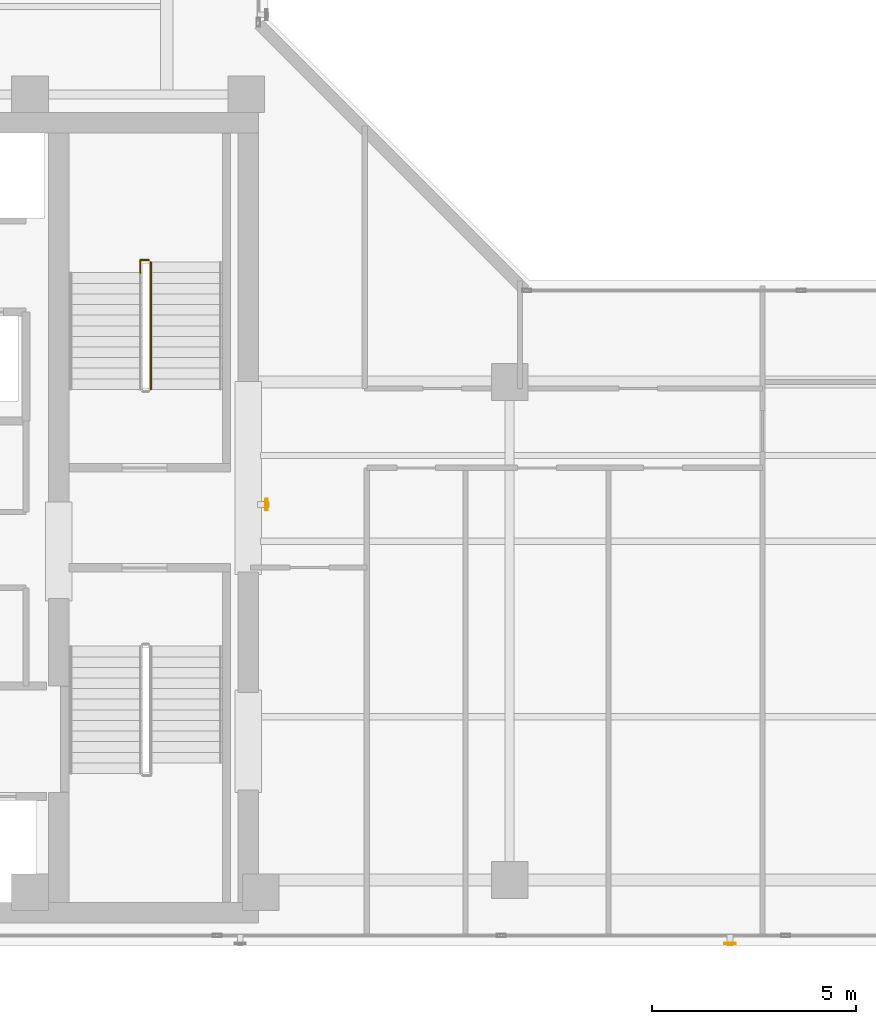
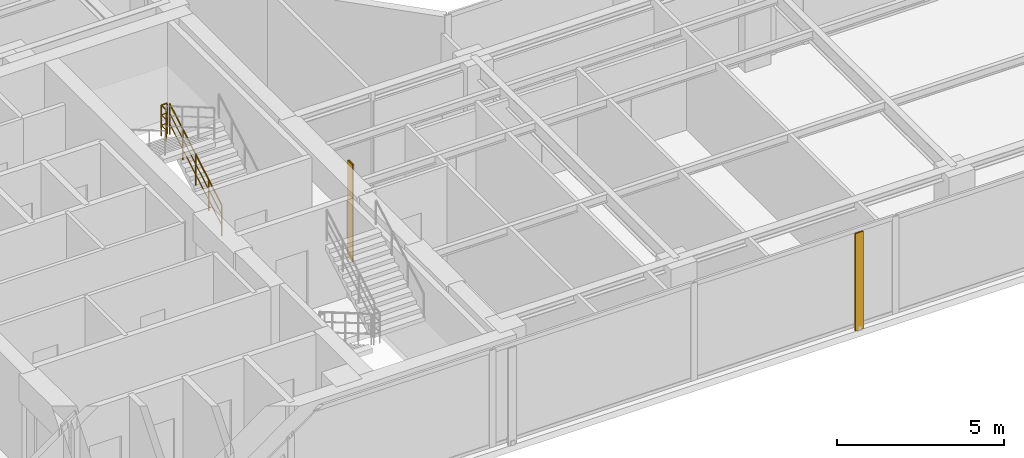
# One storey, part 20 of 23: 2 railings, 2 shading devices.
"""IFC4 building model written with IfcOpenShell, lengths in metres."""

from ifc_helpers import new_model, si_unit, direction, frame, origin, origin_2d, place, context, subcontext, project, spatial, hollow_rectangle, circle, extrude, material, material_profile, profile_set, type_object, element, save


model = new_model("IFC4")

# Units and contexts
model_context = context("Model", 3, precision=1e-05, world=origin(), true_north=direction((0.0, 1.0)))
body_context = subcontext(model_context, "Body", "Model", "MODEL_VIEW")
ifc_project = project(units=[si_unit("LENGTHUNIT", "METRE"), si_unit("AREAUNIT", "SQUARE_METRE"), si_unit("VOLUMEUNIT", "CUBIC_METRE"), si_unit("PLANEANGLEUNIT", "RADIAN"), si_unit("MASSUNIT", "GRAM", prefix="KILO")], contexts=[model_context])

# Site, building, storey
site_placement = place(None, origin())
site = spatial("IfcSite", under=ifc_project, at=site_placement, CompositionType="ELEMENT")
building_placement = place(site_placement, origin())
building = spatial("IfcBuilding", under=site, at=building_placement, Name="Kolvaren Waterfront Exchange", CompositionType="ELEMENT")
storey_placement = place(building_placement, frame((0.0, 0.0, 304.60009765625)))
storey = spatial("IfcBuildingStorey", under=building, at=storey_placement, Name="L78", CompositionType="ELEMENT", Elevation=304.60009765625)

# Shading devices
ifc_material_1 = material(Name="Anodised bronze aluminium 6063-T6", Category="aluminium")
ifc_material_profile = material_profile(ifc_material_1, hollow_rectangle(XDim=0.054931640625, YDim=0.280029296875, WallThickness=0.00439453125, at=origin_2d()), Name="BRZ-FIN-280x55x4.5")
ifc_profile_set = profile_set([ifc_material_profile], Name="Anodised bronze aluminium 6063-T6")
shading_device_type = type_object("IfcShadingDeviceType", Name="ARC-FIN-280", PredefinedType="USERDEFINED", material=ifc_profile_set)
for number, where, z_axis, x_axis, name in (
    (1, (32.60009765625, 3.639892578125, 0.0), (0.0, 0.0, 1.0), (0.0, -1.0, 0.0), "L78 anodised bronze solar shading fin FIN-L78-S3"),
    (2, (21.244140625, 14.39990234375, 0.0), (0.0, 0.0, 1.0), (1.0, 0.0, 0.0), "L78 anodised bronze solar shading fin FIN-L78-E1"),
):
    element("IfcShadingDevice", number, at=place(storey_placement, frame(where, z_axis=z_axis, x_axis=x_axis)), inside=storey, type_object=shading_device_type, Name=name, ObjectType="SOLAR FIN", PredefinedType="USERDEFINED", context=body_context, shape_type="SweptSolid", body=[
        extrude(hollow_rectangle(XDim=0.054931640625, YDim=0.280029296875, WallThickness=0.00439453125, at=origin_2d()), origin(), (0.0, 0.0, 1.0), 3.559814453125),
    ])

# Railings
ifc_material_2 = material(Name="Stainless steel 316", Category="steel")
railing_type = type_object("IfcRailingType", Name="ARC-GUARD-STAIR", PredefinedType="GUARDRAIL", material=ifc_material_2)
railing_1_placement = place(storey_placement, frame((18.409912109375, 17.219970703125, 0.15185546875)))
element("IfcRailing", 3, at=railing_1_placement, inside=storey, type_object=railing_type, Name="L78 ST2 stair guard 1", PredefinedType="GUARDRAIL", context=body_context, shape_type="SweptSolid", body=[
    extrude(circle(Radius=0.02392578125, at=origin_2d()), frame((0.0, 0.0, 1.1259765625), z_axis=(0.0, 0.86330811405, 0.504677223793), x_axis=(-1.0, 0.0, 0.0)), (0.0, 0.0, 1.0), 3.6142578125),
    extrude(circle(Radius=0.01611328125, at=origin_2d()), frame((0.0, 0.0, 0.390869140625), z_axis=(0.0, 0.86330811405, 0.504677223793), x_axis=(-1.0, 0.0, 0.0)), (0.0, 0.0, 1.0), 3.6142578125),
    extrude(circle(Radius=0.01611328125, at=origin_2d()), frame((0.0, 0.0, 0.7705078125), z_axis=(0.0, 0.86330811405, 0.504677223793), x_axis=(-1.0, 0.0, 0.0)), (0.0, 0.0, 1.0), 3.6142578125),
    extrude(circle(Radius=0.02099609375, at=origin_2d()), origin(), (0.0, 0.0, 1.0), 1.101806640625),
    extrude(circle(Radius=0.02099609375, at=origin_2d()), frame((0.0, 0.780029296875, 0.4560546875)), (0.0, 0.0, 1.0), 1.101806640625),
    extrude(circle(Radius=0.02099609375, at=origin_2d()), frame((0.0, 1.56005859375, 0.912109375)), (0.0, 0.0, 1.0), 1.101806640625),
    extrude(circle(Radius=0.02099609375, at=origin_2d()), frame((0.0, 2.340087890625, 1.367919921875)), (0.0, 0.0, 1.0), 1.101806640625),
    extrude(circle(Radius=0.02099609375, at=origin_2d()), frame((0.0, 3.1201171875, 1.823974609375)), (0.0, 0.0, 1.0), 1.101806640625),
])
railing_2_placement = place(storey_placement, frame((18.360107421875, 20.389892578125, 1.975830078125)))
element("IfcRailing", 4, at=railing_2_placement, inside=storey, type_object=railing_type, Name="L78 ST2 stair guard 2", PredefinedType="GUARDRAIL", context=body_context, shape_type="SweptSolid", body=[
    extrude(circle(Radius=0.02392578125, at=origin_2d()), frame((0.0, 0.0, 1.1259765625), z_axis=(-1.0, 0.0, 0.0), x_axis=(0.0, -1.0, 0.0)), (0.0, 0.0, 1.0), 0.210205078125),
    extrude(circle(Radius=0.01611328125, at=origin_2d()), frame((0.0, 0.0, 0.390869140625), z_axis=(-1.0, 0.0, 0.0), x_axis=(0.0, -1.0, 0.0)), (0.0, 0.0, 1.0), 0.210205078125),
    extrude(circle(Radius=0.01611328125, at=origin_2d()), frame((0.0, 0.0, 0.7705078125), z_axis=(-1.0, 0.0, 0.0), x_axis=(0.0, -1.0, 0.0)), (0.0, 0.0, 1.0), 0.210205078125),
    extrude(circle(Radius=0.02392578125, at=origin_2d()), frame((-0.210205078125, 0.0, 1.1259765625), z_axis=(0.0, -1.0, 0.0), x_axis=(1.0, 0.0, 0.0)), (0.0, 0.0, 1.0), 0.309814453125),
    extrude(circle(Radius=0.01611328125, at=origin_2d()), frame((-0.210205078125, 0.0, 0.390869140625), z_axis=(0.0, -1.0, 0.0), x_axis=(1.0, 0.0, 0.0)), (0.0, 0.0, 1.0), 0.309814453125),
    extrude(circle(Radius=0.01611328125, at=origin_2d()), frame((-0.210205078125, 0.0, 0.7705078125), z_axis=(0.0, -1.0, 0.0), x_axis=(1.0, 0.0, 0.0)), (0.0, 0.0, 1.0), 0.309814453125),
    extrude(circle(Radius=0.02099609375, at=origin_2d()), origin(), (0.0, 0.0, 1.0), 1.101806640625),
    extrude(circle(Radius=0.02099609375, at=origin_2d()), frame((-0.210205078125, 0.0, 0.0)), (0.0, 0.0, 1.0), 1.101806640625),
    extrude(circle(Radius=0.02099609375, at=origin_2d()), frame((-0.210205078125, -0.309814453125, 0.0)), (0.0, 0.0, 1.0), 1.101806640625),
])

save(model, "model.ifc")
